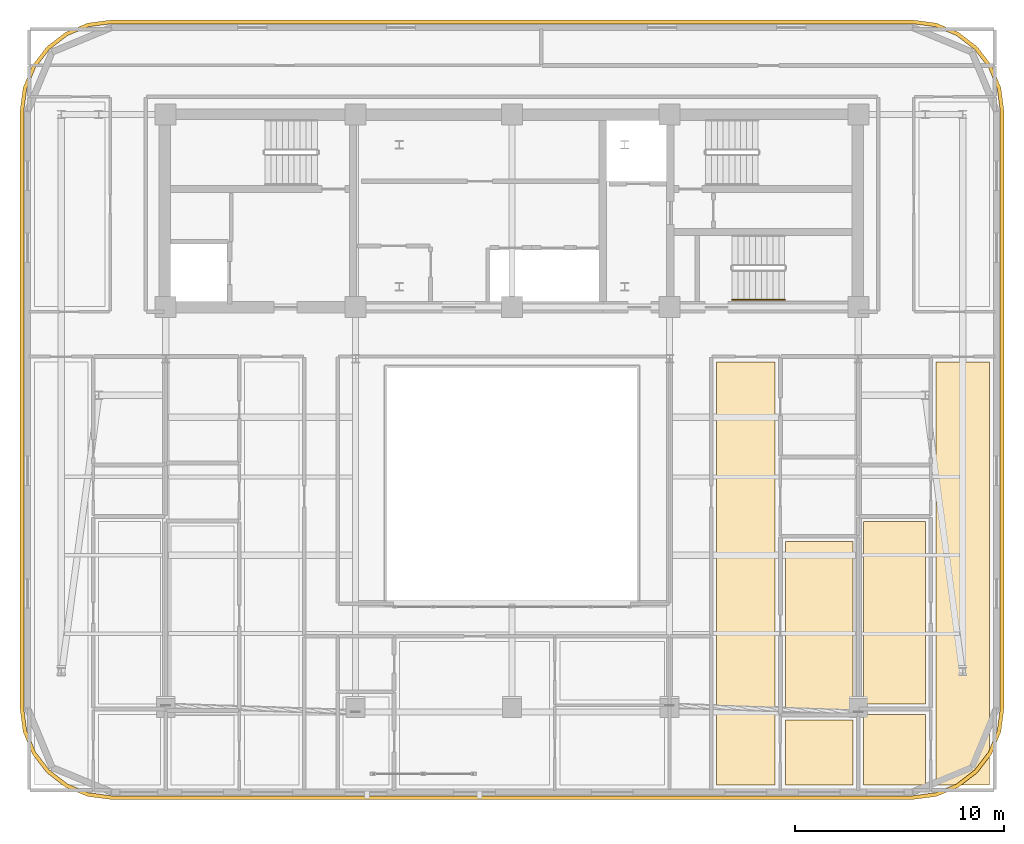
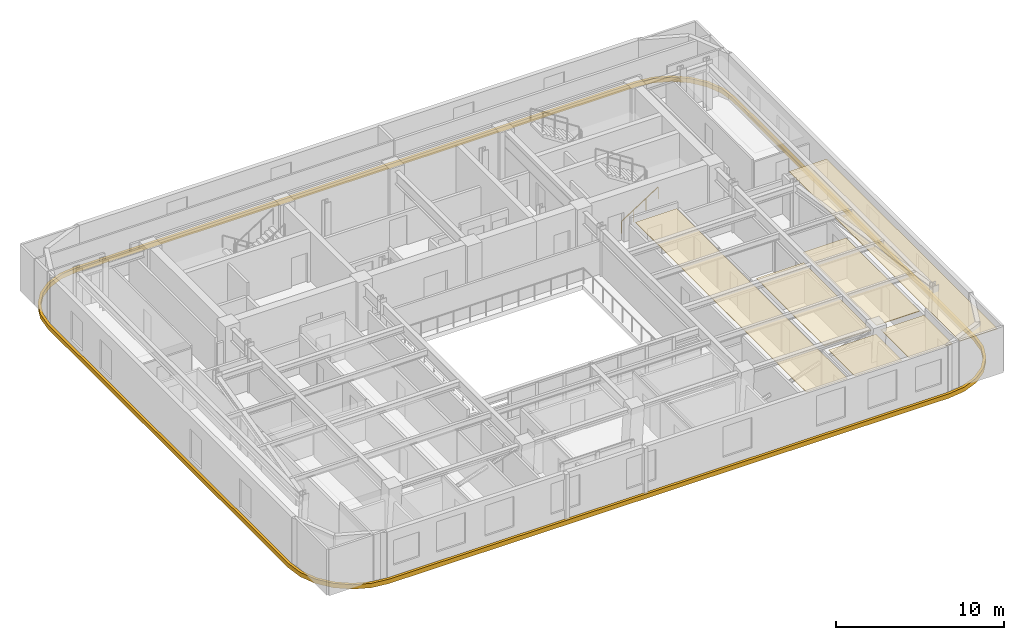
# One storey, part 13 of 14: 7 coverings, 1 railing.
"""IFC4 building model written with IfcOpenShell, lengths in metres."""

from ifc_helpers import new_model, si_unit, direction, frame, origin, origin_2d, place, context, subcontext, project, spatial, polyline, rectangle, outline, extrude, material, layer, layer_set, type_object, element, save


model = new_model("IFC4")

# Units and contexts
model_context = context("Model", 3, precision=1e-05, world=origin(), true_north=direction((0.0, 1.0)))
body_context = subcontext(model_context, "Body", "Model", "MODEL_VIEW")
ifc_project = project(units=[si_unit("LENGTHUNIT", "METRE"), si_unit("AREAUNIT", "SQUARE_METRE"), si_unit("VOLUMEUNIT", "CUBIC_METRE"), si_unit("PLANEANGLEUNIT", "RADIAN"), si_unit("MASSUNIT", "GRAM", prefix="KILO")], contexts=[model_context])

# Site, building, storey
site_placement = place(None, origin())
site = spatial("IfcSite", under=ifc_project, at=site_placement, CompositionType="ELEMENT")
building_placement = place(site_placement, origin())
building = spatial("IfcBuilding", under=site, at=building_placement, Name="Zarnavel Station Tower", CompositionType="ELEMENT")
storey_placement = place(building_placement, frame((0.0, 0.0, 193.199951171875)))
storey = spatial("IfcBuildingStorey", under=building, at=storey_placement, Name="L52", CompositionType="ELEMENT", Elevation=193.199951171875)

# Coverings
ifc_material_1 = material(Name="Perforated Gypsum and Mineral-Wool Acoustic Ceiling", Category="concrete")
ifc_layer = layer(ifc_material_1, 0.0400390625)
ifc_layer_set = layer_set([ifc_layer], Name="COV_CEIL_ACOUSTIC")
covering_type_1 = type_object("IfcCoveringType", Name="COV_CEIL_ACOUSTIC", PredefinedType="CEILING", material=ifc_layer_set)
covering_1_placement = place(storey_placement, frame((0.0, 0.0, 3.02001953125)))
element("IfcCovering", 1, at=covering_1_placement, inside=storey, type_object=covering_type_1, Name="L52 UE1LV Acoustic Ceiling", PredefinedType="CEILING", context=body_context, shape_type="SweptSolid", body=[
    extrude(outline(polyline([(38.60009765625, 4.909912109375), (41.4130859375, 4.909912109375), (41.4130859375, 25.199951171875), (38.60009765625, 25.199951171875), (38.60009765625, 4.909912109375)])), origin(), (0.0, 0.0, 1.0), 0.0400390625),
])
covering_2_placement = place(storey_placement, frame((0.0, 0.0, 3.02001953125)))
element("IfcCovering", 2, at=covering_2_placement, inside=storey, type_object=covering_type_1, Name="L52 UE1B1 Acoustic Ceiling", PredefinedType="CEILING", context=body_context, shape_type="SweptSolid", body=[
    extrude(outline(polyline([(41.9130859375, 4.909912109375), (45.14990234375, 4.909912109375), (45.14990234375, 8.02294921875), (41.9130859375, 8.02294921875), (41.9130859375, 4.909912109375)])), origin(), (0.0, 0.0, 1.0), 0.0400390625),
])
covering_3_placement = place(storey_placement, frame((0.0, 0.0, 3.02001953125)))
element("IfcCovering", 3, at=covering_3_placement, inside=storey, type_object=covering_type_1, Name="L52 UE1KT Acoustic Ceiling", PredefinedType="CEILING", context=body_context, shape_type="SweptSolid", body=[
    extrude(outline(polyline([(41.9130859375, 8.52294921875), (45.14990234375, 8.52294921875), (45.14990234375, 16.5859375), (41.9130859375, 16.5859375), (41.9130859375, 8.52294921875)])), origin(), (0.0, 0.0, 1.0), 0.0400390625),
])
covering_4_placement = place(storey_placement, frame((0.0, 0.0, 3.02001953125)))
element("IfcCovering", 4, at=covering_4_placement, inside=storey, type_object=covering_type_1, Name="L52 UE2LV Acoustic Ceiling", PredefinedType="CEILING", context=body_context, shape_type="SweptSolid", body=[
    extrude(outline(polyline([(49.115966796875, 4.909912109375), (51.68994140625, 4.909912109375), (51.68994140625, 25.199951171875), (49.115966796875, 25.199951171875), (49.115966796875, 4.909912109375)])), origin(), (0.0, 0.0, 1.0), 0.0400390625),
])
covering_5_placement = place(storey_placement, frame((0.0, 0.0, 3.02001953125)))
element("IfcCovering", 5, at=covering_5_placement, inside=storey, type_object=covering_type_1, Name="L52 UE2B1 Acoustic Ceiling", PredefinedType="CEILING", context=body_context, shape_type="SweptSolid", body=[
    extrude(outline(polyline([(45.64990234375, 4.909912109375), (48.615966796875, 4.909912109375), (48.615966796875, 8.304931640625), (45.64990234375, 8.304931640625), (45.64990234375, 4.909912109375)])), origin(), (0.0, 0.0, 1.0), 0.0400390625),
])
covering_6_placement = place(storey_placement, frame((0.0, 0.0, 3.02001953125)))
element("IfcCovering", 6, at=covering_6_placement, inside=storey, type_object=covering_type_1, Name="L52 UE2KT Acoustic Ceiling", PredefinedType="CEILING", context=body_context, shape_type="SweptSolid", body=[
    extrude(outline(polyline([(45.64990234375, 8.804931640625), (48.615966796875, 8.804931640625), (48.615966796875, 17.5380859375), (45.64990234375, 17.5380859375), (45.64990234375, 8.804931640625)])), origin(), (0.0, 0.0, 1.0), 0.0400390625),
])
ifc_material_2 = material(Name="Precast concrete C45/55 (Pale Travertine Slab Band)", Category="masonry")
covering_type_2 = type_object("IfcCoveringType", Name="COV_TRAVERTINE_BAND", PredefinedType="CLADDING", material=ifc_material_2)
covering_7_placement = place(storey_placement, frame((0.0, 0.0, -0.260009765625)))
element("IfcCovering", 7, at=covering_7_placement, inside=storey, type_object=covering_type_2, Name="L52 Pale Travertine Slab-Edge Band", PredefinedType="CLADDING", context=body_context, shape_type="SweptSolid", body=[
    extrude(outline(polyline([(48.0, 4.219970703125), (49.133544921875, 4.369140625), (50.18994140625, 4.806884765625), (51.09716796875, 5.5029296875), (51.793212890625, 6.409912109375), (52.230712890625, 7.46630859375), (52.3798828125, 8.60009765625), (52.3798828125, 37.199951171875), (52.230712890625, 38.33349609375), (51.793212890625, 39.389892578125), (51.09716796875, 40.297119140625), (50.18994140625, 40.9931640625), (49.133544921875, 41.430908203125), (48.0, 41.580078125), (9.60009765625, 41.580078125), (8.46630859375, 41.430908203125), (7.409912109375, 40.9931640625), (6.5029296875, 40.297119140625), (5.806884765625, 39.389892578125), (5.369140625, 38.33349609375), (5.219970703125, 37.199951171875), (5.219970703125, 8.60009765625), (5.369140625, 7.46630859375), (5.806884765625, 6.409912109375), (6.5029296875, 5.5029296875), (7.409912109375, 4.806884765625), (8.46630859375, 4.369140625), (9.60009765625, 4.219970703125), (48.0, 4.219970703125)]), holes=[polyline([(48.0, 4.39990234375), (49.0869140625, 4.543212890625), (50.10009765625, 4.962646484375), (50.9697265625, 5.630126953125), (51.63720703125, 6.5), (52.056884765625, 7.512939453125), (52.199951171875, 8.60009765625), (52.199951171875, 37.199951171875), (52.056884765625, 38.287109375), (51.63720703125, 39.300048828125), (50.9697265625, 40.169921875), (50.10009765625, 40.83740234375), (49.0869140625, 41.2568359375), (48.0, 41.39990234375), (9.60009765625, 41.39990234375), (8.512939453125, 41.2568359375), (7.5, 40.83740234375), (6.630126953125, 40.169921875), (5.962646484375, 39.300048828125), (5.543212890625, 38.287109375), (5.39990234375, 37.199951171875), (5.39990234375, 8.60009765625), (5.543212890625, 7.512939453125), (5.962646484375, 6.5), (6.630126953125, 5.630126953125), (7.5, 4.962646484375), (8.512939453125, 4.543212890625), (9.60009765625, 4.39990234375), (48.0, 4.39990234375)])]), origin(), (0.0, 0.0, 1.0), 0.320068359375),
])

# Railing
ifc_material_3 = material(Name="Brushed Stainless Steel S355J2 Handrail", Category="steel")
railing_type = type_object("IfcRailingType", Name="HR_STAIR_900", PredefinedType="HANDRAIL", material=ifc_material_3)
railing_placement = place(storey_placement, frame((39.35009765625, 28.169921875, 0.179931640625)))
element("IfcRailing", 8, at=railing_placement, inside=storey, type_object=railing_type, Name="L52 ST3 stair handrail 1", PredefinedType="HANDRAIL", context=body_context, shape_type="SweptSolid", body=[
    extrude(rectangle(XDim=0.048095703125, YDim=0.048095703125, at=origin_2d()), frame((0.001708984375, 0.0, 0.876953125), z_axis=(0.841162588446, 0.0, 0.540782303519), x_axis=(0.0, 1.0, 0.0)), (0.0, 0.0, 1.0), 2.991943359375),
    extrude(rectangle(XDim=0.0419921875, YDim=0.0419921875, at=origin_2d()), origin(), (0.0, 0.0, 1.0), 0.851806640625),
    extrude(rectangle(XDim=0.0419921875, YDim=0.0419921875, at=origin_2d()), frame((0.840087890625, 0.0, 0.5400390625)), (0.0, 0.0, 1.0), 0.851806640625),
    extrude(rectangle(XDim=0.0419921875, YDim=0.0419921875, at=origin_2d()), frame((1.679931640625, 0.0, 1.080078125)), (0.0, 0.0, 1.0), 0.851806640625),
    extrude(rectangle(XDim=0.0419921875, YDim=0.0419921875, at=origin_2d()), frame((2.52001953125, 0.0, 1.6201171875)), (0.0, 0.0, 1.0), 0.851806640625),
])

save(model, "model.ifc")
